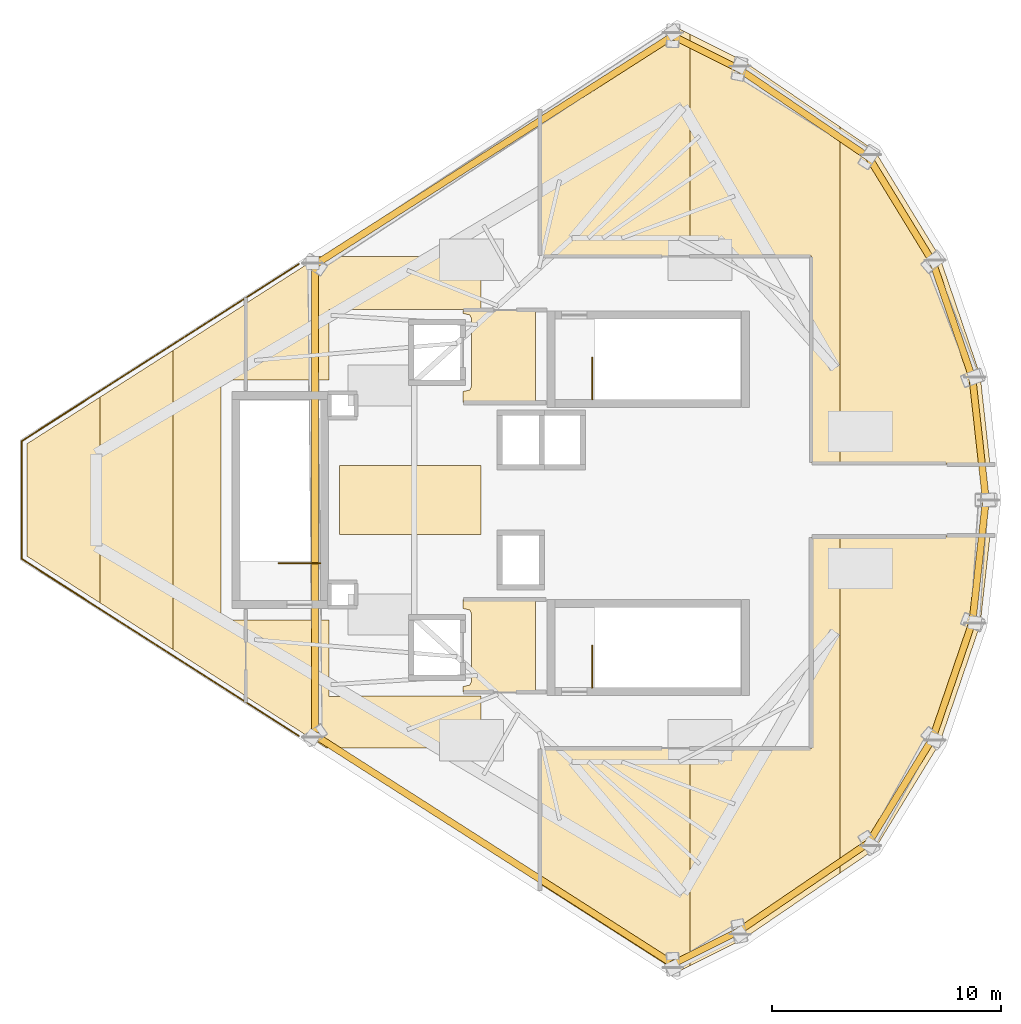
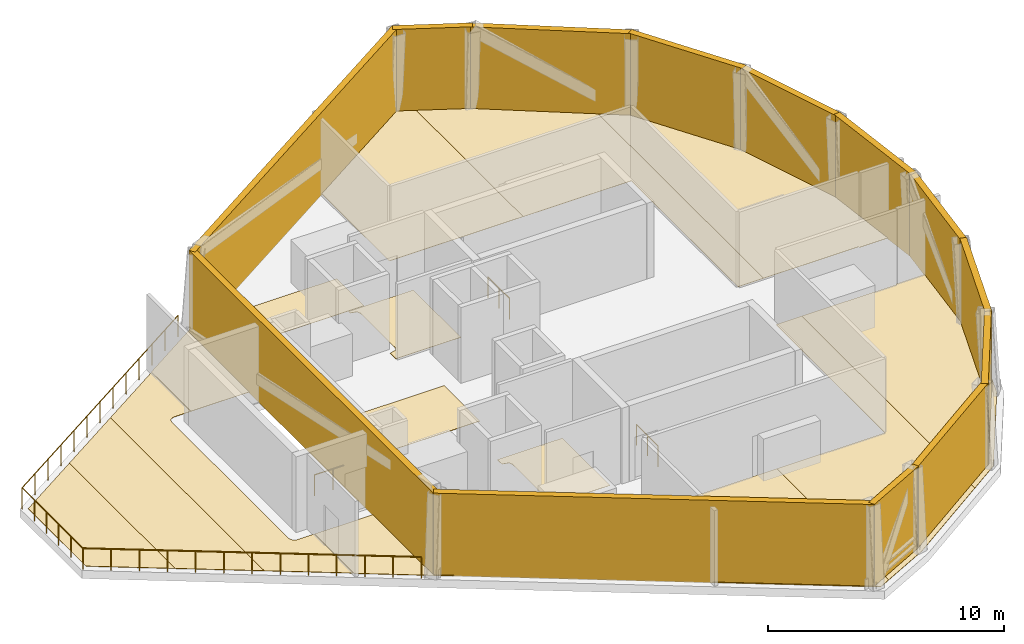
# One storey, part 4 of 4: 14 coverings, 13 shading devices, 4 railings.
"""IFC4 building model written with IfcOpenShell, lengths in metres."""

import ifcopenshell
import ifcopenshell.guid

model = None  # the IFC model being written
_history = None  # IfcOwnerHistory: only IFC2X3 demands one
_inside = {}  # id of a spatial element -> (the spatial element, [elements in it])
_under = {}  # id of a project, library or spatial element -> (it, [spatial elements below it])
_declared = {}  # id of a project -> (the project, [libraries it declares])
_typed = {}  # id of a type object -> (the type object, [elements of that type])
_made_of = {}  # id of a material, layer set ... -> (it, [elements and type objects made of it])


def new_model(schema):
    """Start an empty IFC model of exactly this schema.

    Asked for "IFC4X3", IfcOpenShell would pick the latest addendum, in which some entities
    have other attributes; the version numbers below select the first issue.
    IFC2X3 requires an IfcOwnerHistory on every rooted entity: one is made here for all.
    """
    global model, _history
    if schema == "IFC4X3":
        model = ifcopenshell.file(schema_version=(4, 3, 0, 0))
    else:
        model = ifcopenshell.file(schema=schema)
    _inside.clear()
    _under.clear()
    _declared.clear()
    _typed.clear()
    _made_of.clear()
    _history = None
    if model.schema == "IFC2X3":
        org = make("IfcOrganization", Name="unknown")
        user = make(
            "IfcPersonAndOrganization",
            ThePerson=make("IfcPerson", FamilyName="unknown"),
            TheOrganization=org,
        )
        app = make(
            "IfcApplication",
            ApplicationDeveloper=org,
            Version="unknown",
            ApplicationFullName="unknown",
            ApplicationIdentifier="unknown",
        )
        _history = make(
            "IfcOwnerHistory",
            OwningUser=user,
            OwningApplication=app,
            ChangeAction="ADDED",
            CreationDate=0,
        )
    return model


def make(cls, **values):
    """One entity of the class cls with the attributes given. An attribute that is None is left unset."""
    return model.create_entity(
        cls, **{name: value for name, value in values.items() if value is not None}
    )


def rooted(cls, **values):
    """An entity with a GlobalId (a new one), such as an element, a storey or a relation."""
    return make(cls, GlobalId=ifcopenshell.guid.new(), OwnerHistory=_history, **values)


def si_unit(unit_type, name, prefix=None):
    """IfcSIUnit, for example si_unit("LENGTHUNIT", "METRE", prefix="MILLI")."""
    return make("IfcSIUnit", UnitType=unit_type, Prefix=prefix, Name=name)


def assignment(units):
    """IfcUnitAssignment: the units of a project."""
    return None if units is None else make("IfcUnitAssignment", Units=units)


def point(xyz):
    """IfcCartesianPoint."""
    return None if xyz is None else make("IfcCartesianPoint", Coordinates=xyz)


def direction(xyz):
    """IfcDirection."""
    return None if xyz is None else make("IfcDirection", DirectionRatios=xyz)


def frame(location, z_axis=None, x_axis=None):
    """IfcAxis2Placement3D, a coordinate frame: its origin and axes. An axis left out is left unset."""
    return make(
        "IfcAxis2Placement3D",
        Location=point(location),
        Axis=direction(z_axis),
        RefDirection=direction(x_axis),
    )


def frame_2d(location, x_axis=None):
    """IfcAxis2Placement2D, a coordinate frame in the plane: its origin and x axis."""
    return make(
        "IfcAxis2Placement2D", Location=point(location), RefDirection=direction(x_axis)
    )


def origin():
    """The frame at (0, 0, 0) with its axes left unset."""
    return frame((0.0, 0.0, 0.0))


def origin_2d():
    """The frame at (0, 0) in the plane with its x axis left unset."""
    return frame_2d((0.0, 0.0))


def place(relative_to, where):
    """IfcLocalPlacement: puts the frame where relative to a parent placement (None: the world)."""
    return make(
        "IfcLocalPlacement", PlacementRelTo=relative_to, RelativePlacement=where
    )


def context(
    kind, dimensions, precision=None, world=None, true_north=None, identifier=None
):
    """IfcGeometricRepresentationContext, for example the 3D "Model" context."""
    return make(
        "IfcGeometricRepresentationContext",
        ContextIdentifier=identifier,
        ContextType=kind,
        CoordinateSpaceDimension=dimensions,
        Precision=precision,
        WorldCoordinateSystem=world,
        TrueNorth=true_north,
    )


def subcontext(parent, identifier, kind, view, scale=None):
    """IfcGeometricRepresentationSubContext, for example "Body" below "Model"."""
    return make(
        "IfcGeometricRepresentationSubContext",
        ContextIdentifier=identifier,
        ContextType=kind,
        ParentContext=parent,
        TargetScale=scale,
        TargetView=view,
    )


def project(units=None, contexts=None):
    """IfcProject with its units and contexts."""
    return rooted(
        "IfcProject",
        Name="project",
        RepresentationContexts=contexts,
        UnitsInContext=assignment(units),
    )


def spatial(cls, under=None, at=None, **own):
    """A site, building, storey or space (cls), placed at a placement, below another one or the project."""
    s = rooted(cls, ObjectPlacement=at, **own)
    if under is not None:
        _under.setdefault(under.id(), (under, []))[1].append(s)
    return s


def polyline(points):
    """IfcPolyline through the points."""
    return make("IfcPolyline", Points=[point(p) for p in points])


def profile(cls, at=None, kind="AREA", **sizes):
    """A parametric profile (cls). Its sizes go by their IFC names, for example OverallWidth=200.0."""
    return make(cls, ProfileType=kind, Position=at, **sizes)


def rectangle(**sizes):
    """IfcRectangleProfileDef."""
    return profile("IfcRectangleProfileDef", **sizes)


def circle(**sizes):
    """IfcCircleProfileDef."""
    return profile("IfcCircleProfileDef", **sizes)


def outline(outer, holes=None, kind="AREA"):
    """IfcArbitraryClosedProfileDef: a profile drawn as a closed curve; with holes, ...WithVoids."""
    if holes is None:
        return make("IfcArbitraryClosedProfileDef", ProfileType=kind, OuterCurve=outer)
    return make(
        "IfcArbitraryProfileDefWithVoids",
        ProfileType=kind,
        OuterCurve=outer,
        InnerCurves=holes,
    )


def extrude(swept, where, along, depth):
    """IfcExtrudedAreaSolid: the profile swept, set in the frame where, extruded along a direction by depth."""
    return make(
        "IfcExtrudedAreaSolid",
        SweptArea=swept,
        Position=where,
        ExtrudedDirection=direction(along),
        Depth=depth,
    )


def shape(context_of_items, identifier, shape_type, items):
    """IfcShapeRepresentation: the items that make up one representation, for example the "Body"."""
    return make(
        "IfcShapeRepresentation",
        ContextOfItems=context_of_items,
        RepresentationIdentifier=identifier,
        RepresentationType=shape_type,
        Items=items,
    )


def material(Name=None, Category=None):
    """IfcMaterial."""
    return make("IfcMaterial", Name=Name, Category=Category)


def layer(
    of_material, thickness, ventilated=None, Name=None, Category=None, Priority=None
):
    """IfcMaterialLayer: one layer of a wall or slab, of a material (None: an air gap)."""
    return make(
        "IfcMaterialLayer",
        Material=of_material,
        LayerThickness=thickness,
        IsVentilated=ventilated,
        Name=Name,
        Category=Category,
        Priority=Priority,
    )


def layer_set(layers, Name=None):
    """IfcMaterialLayerSet."""
    return make("IfcMaterialLayerSet", MaterialLayers=layers, LayerSetName=Name)


def made_of(thing, what):
    """Note that an element or type object is made of a material, layer set ...; save() writes the relation."""
    if what is not None:
        _made_of.setdefault(what.id(), (what, []))[1].append(thing)
    return thing


def type_object(cls, material=None, **own):
    """A type object (cls), such as IfcWallType, which elements share."""
    return made_of(rooted(cls, **own), material)


def element(
    cls,
    number,
    at=None,
    inside=None,
    cuts=None,
    type_object=None,
    material=None,
    context=None,
    identifier="Body",
    shape_type=None,
    held_by="IfcProductDefinitionShape",
    body=None,
    shapes=None,
    **own,
):
    """One element of the class cls, such as IfcWall. Its Tag is "e" and its number.

    at: its placement. inside: the storey or other place that contains it. cuts: it is an
    opening in that element (IfcRelVoidsElement). A single representation is given by context,
    identifier, shape_type and body (its items); several are given by shapes. held_by: the class
    of the entity that holds the representations. save() writes the other relations.
    """
    e = rooted(cls, Tag="e%d" % number, ObjectPlacement=at, **own)
    if body is not None:
        shapes = [shape(context, identifier, shape_type, body)]
    if shapes is not None:
        e.Representation = make(held_by, Representations=shapes)
    if inside is not None:
        _inside.setdefault(inside.id(), (inside, []))[1].append(e)
    if cuts is not None:
        rooted(
            "IfcRelVoidsElement", RelatingBuildingElement=cuts, RelatedOpeningElement=e
        )
    if type_object is not None:
        _typed.setdefault(type_object.id(), (type_object, []))[1].append(e)
    return made_of(e, material)


def aggregate(whole, parts):
    """IfcRelAggregates: a whole, such as a stair, and the parts it consists of."""
    return rooted("IfcRelAggregates", RelatingObject=whole, RelatedObjects=parts)


def save(model, path):
    """Write the relations noted so far, then the file.

    IfcRelAggregates (storeys below a building ...), IfcRelContainedInSpatialStructure (elements
    in a storey), IfcRelDefinesByType, IfcRelAssociatesMaterial and IfcRelDeclares: one each for
    every whole, place, type object, material and project.
    """
    for whole, parts in _under.values():
        aggregate(whole, parts)
    for where, things in _inside.values():
        rooted(
            "IfcRelContainedInSpatialStructure",
            RelatedElements=things,
            RelatingStructure=where,
        )
    for kind, things in _typed.values():
        rooted("IfcRelDefinesByType", RelatedObjects=things, RelatingType=kind)
    for what, things in _made_of.values():
        rooted("IfcRelAssociatesMaterial", RelatedObjects=things, RelatingMaterial=what)
    for by, libraries in _declared.values():
        rooted("IfcRelDeclares", RelatingContext=by, RelatedDefinitions=libraries)
    model.write(path)


model = new_model("IFC4")

# Units and contexts
model_context = context("Model", 3, precision=1e-05, world=origin(), true_north=direction((0.0, 1.0)))
body_context = subcontext(model_context, "Body", "Model", "MODEL_VIEW")
ifc_project = project(units=[si_unit("LENGTHUNIT", "METRE"), si_unit("AREAUNIT", "SQUARE_METRE"), si_unit("VOLUMEUNIT", "CUBIC_METRE"), si_unit("PLANEANGLEUNIT", "RADIAN"), si_unit("MASSUNIT", "GRAM", prefix="KILO")], contexts=[model_context])

# Site, building, storey
site_placement = place(None, origin())
site = spatial("IfcSite", under=ifc_project, at=site_placement, CompositionType="ELEMENT")
building_placement = place(site_placement, origin())
building = spatial("IfcBuilding", under=site, at=building_placement, Name="Qorvath Tower", CompositionType="ELEMENT")
storey_placement = place(building_placement, frame((0.0, 0.0, 327.0)))
storey = spatial("IfcBuildingStorey", under=building, at=storey_placement, Name="L76", CompositionType="ELEMENT", Elevation=327.0)

# Coverings
ifc_material_1 = material(Name="Low-VOC modular carpet tile", Category="textile")
ifc_layer_1 = layer(ifc_material_1, 0.014892578125)
ifc_layer_set_1 = layer_set([ifc_layer_1], Name="COV-FLOOR-CPT")
covering_type_1 = type_object("IfcCoveringType", Name="COV-FLOOR-CPT", PredefinedType="FLOORING", material=ifc_layer_set_1)
covering_1_placement = place(storey_placement, origin())
element("IfcCovering", 1, at=covering_1_placement, inside=storey, type_object=covering_type_1, Name="L76 Floor Finish 006", PredefinedType="FLOORING", context=body_context, shape_type="SweptSolid", body=[
    extrude(outline(polyline([(-44.23974609375, -4.49365234375), (-44.23974609375, 4.49365234375), (-47.42822265625, 2.4560546875), (-47.42822265625, -2.4560546875), (-44.23974609375, -4.49365234375)])), origin(), (0.0, 0.0, 1.0), 0.014892578125),
])
covering_2_placement = place(storey_placement, origin())
element("IfcCovering", 2, at=covering_2_placement, inside=storey, type_object=covering_type_1, Name="L76 Floor Finish 007", PredefinedType="FLOORING", context=body_context, shape_type="SweptSolid", body=[
    extrude(outline(polyline([(-41.051513671875, -6.531494140625), (-41.051513671875, 6.531494140625), (-44.23974609375, 4.49365234375), (-44.23974609375, -4.49365234375), (-41.051513671875, -6.531494140625)])), origin(), (0.0, 0.0, 1.0), 0.014892578125),
])
covering_3_placement = place(storey_placement, origin())
element("IfcCovering", 3, at=covering_3_placement, inside=storey, type_object=covering_type_1, Name="L76 Floor Finish 008", PredefinedType="FLOORING", context=body_context, shape_type="SweptSolid", body=[
    extrude(outline(polyline([(-37.863037109375, 8.5693359375), (-41.051513671875, 6.531494140625), (-41.051513671875, -6.531494140625), (-37.863037109375, -8.5693359375), (-37.863037109375, -5.239990234375), (-38.699951171875, -5.239990234375), (-38.876708984375, -5.166748046875), (-38.949951171875, -4.989990234375), (-38.949951171875, 4.989990234375), (-38.876708984375, 5.166748046875), (-38.699951171875, 5.239990234375), (-37.863037109375, 5.239990234375), (-37.863037109375, 8.5693359375)])), origin(), (0.0, 0.0, 1.0), 0.014892578125),
])
covering_4_placement = place(storey_placement, origin())
element("IfcCovering", 4, at=covering_4_placement, inside=storey, type_object=covering_type_1, Name="L76 Floor Finish 009", PredefinedType="FLOORING", context=body_context, shape_type="SweptSolid", body=[
    extrude(outline(polyline([(-18.439453125, 10.662109375), (-18.439453125, 20.35986328125), (-18.987060546875, 20.633544921875), (-24.9951171875, 16.793701171875), (-24.9951171875, 10.6630859375), (-18.439453125, 10.662109375)])), origin(), (0.0, 0.0, 1.0), 0.014892578125),
])
covering_5_placement = place(storey_placement, origin())
element("IfcCovering", 5, at=covering_5_placement, inside=storey, type_object=covering_type_1, Name="L76 Floor Finish 010", PredefinedType="FLOORING", context=body_context, shape_type="SweptSolid", body=[
    extrude(outline(polyline([(-11.884033203125, 1.613037109375), (-11.884033203125, 16.30908203125), (-16.162353515625, 19.221435546875), (-18.439453125, 20.35986328125), (-18.439453125, 10.662109375), (-13.138427734375, 10.66162109375), (-13.136962890625, 1.613037109375), (-11.884033203125, 1.613037109375)])), origin(), (0.0, 0.0, 1.0), 0.014892578125),
])
covering_6_placement = place(storey_placement, origin())
element("IfcCovering", 6, at=covering_6_placement, inside=storey, type_object=covering_type_1, Name="L76 Floor Finish 011", PredefinedType="FLOORING", context=body_context, shape_type="SweptSolid", body=[
    extrude(outline(polyline([(-5.758056640625, 5.44775390625), (-7.53125, 10.634033203125), (-10.375, 15.28173828125), (-11.884033203125, 16.30908203125), (-11.884033203125, 1.613037109375), (-7.23291015625, 1.613037109375), (-7.22216796875, 1.554931640625), (-5.32861328125, 1.554931640625), (-5.758056640625, 5.44775390625)])), origin(), (0.0, 0.0, 1.0), 0.014892578125),
])
covering_7_placement = place(storey_placement, origin())
element("IfcCovering", 7, at=covering_7_placement, inside=storey, type_object=covering_type_1, Name="L76 Floor Finish 012", PredefinedType="FLOORING", context=body_context, shape_type="SweptSolid", body=[
    extrude(outline(polyline([(-18.439453125, -20.35986328125), (-18.439453125, -10.8623046875), (-24.9951171875, -10.863037109375), (-24.9951171875, -16.793701171875), (-18.987060546875, -20.633544921875), (-18.439453125, -20.35986328125)])), origin(), (0.0, 0.0, 1.0), 0.014892578125),
])
covering_8_placement = place(storey_placement, origin())
element("IfcCovering", 8, at=covering_8_placement, inside=storey, type_object=covering_type_1, Name="L76 Floor Finish 013", PredefinedType="FLOORING", context=body_context, shape_type="SweptSolid", body=[
    extrude(outline(polyline([(-16.162353515625, -19.221435546875), (-11.884033203125, -16.30908203125), (-11.884033203125, -1.613037109375), (-13.136962890625, -1.613037109375), (-13.138427734375, -10.861572265625), (-18.439453125, -10.8623046875), (-18.439453125, -20.35986328125), (-16.162353515625, -19.221435546875)])), origin(), (0.0, 0.0, 1.0), 0.014892578125),
])
covering_9_placement = place(storey_placement, origin())
element("IfcCovering", 9, at=covering_9_placement, inside=storey, type_object=covering_type_1, Name="L76 Floor Finish 014", PredefinedType="FLOORING", context=body_context, shape_type="SweptSolid", body=[
    extrude(outline(polyline([(-11.884033203125, -1.613037109375), (-11.884033203125, -16.30908203125), (-10.375, -15.28173828125), (-7.53125, -10.634033203125), (-5.758056640625, -5.44775390625), (-5.32861328125, -1.554931640625), (-7.22216796875, -1.554931640625), (-7.23291015625, -1.613037109375), (-11.884033203125, -1.613037109375)])), origin(), (0.0, 0.0, 1.0), 0.014892578125),
])
ifc_material_2 = material(Name="Polished epoxy terrazzo flooring", Category="concrete")
ifc_layer_2 = layer(ifc_material_2, 0.02001953125)
ifc_layer_set_2 = layer_set([ifc_layer_2], Name="COV-FLOOR-TRZ")
covering_type_2 = type_object("IfcCoveringType", Name="COV-FLOOR-TRZ", PredefinedType="FLOORING", material=ifc_layer_set_2)
covering_10_placement = place(storey_placement, origin())
element("IfcCovering", 10, at=covering_10_placement, inside=storey, type_object=covering_type_2, Name="L76 Floor Finish 001", PredefinedType="FLOORING", context=body_context, shape_type="SweptSolid", body=[
    extrude(outline(polyline([(-25.18994140625, 4.2548828125), (-25.18994140625, 8.294921875), (-28.375, 8.294921875), (-28.375, 8.159912109375), (-28.063232421875, 8.086669921875), (-27.989990234375, 7.909912109375), (-27.989990234375, 4.989990234375), (-28.063232421875, 4.813232421875), (-28.375, 4.739990234375), (-28.375, 4.2548828125), (-25.18994140625, 4.2548828125)])), origin(), (0.0, 0.0, 1.0), 0.014892578125),
])
covering_11_placement = place(storey_placement, origin())
element("IfcCovering", 11, at=covering_11_placement, inside=storey, type_object=covering_type_2, Name="L76 Floor Finish 002", PredefinedType="FLOORING", context=body_context, shape_type="SweptSolid", body=[
    extrude(outline(polyline([(-25.18994140625, -8.39501953125), (-25.18994140625, -4.35498046875), (-28.375, -4.35498046875), (-28.375, -4.739990234375), (-28.063232421875, -4.813232421875), (-27.989990234375, -4.989990234375), (-27.989990234375, -7.909912109375), (-28.063232421875, -8.086669921875), (-28.375, -8.159912109375), (-28.375, -8.39501953125), (-25.18994140625, -8.39501953125)])), origin(), (0.0, 0.0, 1.0), 0.014892578125),
])
covering_12_placement = place(storey_placement, origin())
element("IfcCovering", 12, at=covering_12_placement, inside=storey, type_object=covering_type_2, Name="L76 Floor Finish 003", PredefinedType="FLOORING", context=body_context, shape_type="SweptSolid", body=[
    extrude(outline(polyline([(-27.586181640625, 8.324951171875), (-27.586181640625, 10.64501953125), (-34.652587890625, 10.64501953125), (-37.844970703125, 8.6044921875), (-37.844970703125, 5.239990234375), (-34.22509765625, 5.239990234375), (-34.219970703125, 8.324951171875), (-27.586181640625, 8.324951171875)])), origin(), (0.0, 0.0, 1.0), 0.014892578125),
])
covering_13_placement = place(storey_placement, origin())
element("IfcCovering", 13, at=covering_13_placement, inside=storey, type_object=covering_type_2, Name="L76 Floor Finish 004", PredefinedType="FLOORING", context=body_context, shape_type="SweptSolid", body=[
    extrude(outline(polyline([(-34.22509765625, -8.580078125), (-34.22509765625, -5.239990234375), (-37.844970703125, -5.239990234375), (-37.844970703125, -8.6044921875), (-34.339599609375, -10.844970703125), (-27.586181640625, -10.844970703125), (-27.586181640625, -8.57568359375), (-34.22509765625, -8.580078125)])), origin(), (0.0, 0.0, 1.0), 0.014892578125),
])
covering_14_placement = place(storey_placement, origin())
element("IfcCovering", 14, at=covering_14_placement, inside=storey, type_object=covering_type_2, Name="L76 Floor Finish 005", PredefinedType="FLOORING", context=body_context, shape_type="SweptSolid", body=[
    extrude(outline(polyline([(-27.586181640625, -1.514892578125), (-27.586181640625, 1.514892578125), (-33.760009765625, 1.514892578125), (-33.760009765625, -1.514892578125), (-27.586181640625, -1.514892578125)])), origin(), (0.0, 0.0, 1.0), 0.014892578125),
])

# Railings
ifc_material_3 = material(Name="Laminated safety glass and stainless steel AISI 316", Category="steel")
railing_type_1 = type_object("IfcRailingType", Name="RL-EXT-GRD", PredefinedType="GUARDRAIL", material=ifc_material_3)
railing_1_placement = place(storey_placement, frame((-35.544921875, -10.31787109375, 0.0)))
element("IfcRailing", 15, at=railing_1_placement, inside=storey, type_object=railing_type_1, Name="Crown Deck Edge Guardrail L76-1", PredefinedType="GUARDRAIL", context=body_context, shape_type="SweptSolid", body=[
    extrude(circle(Radius=0.02392578125, at=origin_2d()), frame((0.0, 0.0, 1.09619140625), z_axis=(-0.842606320599, 0.538530025614, 0.0), x_axis=(-0.538530025614, -0.842606320599, 0.0)), (0.0, 0.0, 1.0), 14.3701171875),
    extrude(circle(Radius=0.02392578125, at=origin_2d()), frame((-12.1083984375, 7.73876953125, 1.09619140625), z_axis=(0.0, 1.0, 0.0), x_axis=(-1.0, 0.0, 0.0)), (0.0, 0.0, 1.0), 5.158203125),
    extrude(circle(Radius=0.02392578125, at=origin_2d()), frame((-12.1083984375, 12.89697265625, 1.09619140625), z_axis=(0.842606320599, 0.538530025614, 0.0), x_axis=(-0.538530025614, 0.842606320599, 0.0)), (0.0, 0.0, 1.0), 14.3701171875),
    extrude(circle(Radius=0.02099609375, at=origin_2d()), origin(), (0.0, 0.0, 1.0), 1.072021484375),
    extrude(circle(Radius=0.02099609375, at=origin_2d()), frame((-1.009033203125, 0.64501953125, 0.0)), (0.0, 0.0, 1.0), 1.072021484375),
    extrude(circle(Radius=0.02099609375, at=origin_2d()), frame((-2.01806640625, 1.289794921875, 0.0)), (0.0, 0.0, 1.0), 1.072021484375),
    extrude(circle(Radius=0.02099609375, at=origin_2d()), frame((-3.027099609375, 1.9345703125, 0.0)), (0.0, 0.0, 1.0), 1.072021484375),
    extrude(circle(Radius=0.02099609375, at=origin_2d()), frame((-4.0361328125, 2.57958984375, 0.0)), (0.0, 0.0, 1.0), 1.072021484375),
    extrude(circle(Radius=0.02099609375, at=origin_2d()), frame((-5.045166015625, 3.224609375, 0.0)), (0.0, 0.0, 1.0), 1.072021484375),
    extrude(circle(Radius=0.02099609375, at=origin_2d()), frame((-6.05419921875, 3.869384765625, 0.0)), (0.0, 0.0, 1.0), 1.072021484375),
    extrude(circle(Radius=0.02099609375, at=origin_2d()), frame((-7.063232421875, 4.51416015625, 0.0)), (0.0, 0.0, 1.0), 1.072021484375),
    extrude(circle(Radius=0.02099609375, at=origin_2d()), frame((-8.072265625, 5.1591796875, 0.0)), (0.0, 0.0, 1.0), 1.072021484375),
    extrude(circle(Radius=0.02099609375, at=origin_2d()), frame((-9.081298828125, 5.80419921875, 0.0)), (0.0, 0.0, 1.0), 1.072021484375),
    extrude(circle(Radius=0.02099609375, at=origin_2d()), frame((-10.09033203125, 6.448974609375, 0.0)), (0.0, 0.0, 1.0), 1.072021484375),
    extrude(circle(Radius=0.02099609375, at=origin_2d()), frame((-11.099365234375, 7.09375, 0.0)), (0.0, 0.0, 1.0), 1.072021484375),
    extrude(circle(Radius=0.02099609375, at=origin_2d()), frame((-12.1083984375, 7.73876953125, 0.0)), (0.0, 0.0, 1.0), 1.072021484375),
    extrude(circle(Radius=0.02099609375, at=origin_2d()), frame((-12.1083984375, 8.7705078125, 0.0)), (0.0, 0.0, 1.0), 1.072021484375),
    extrude(circle(Radius=0.02099609375, at=origin_2d()), frame((-12.1083984375, 9.802001953125, 0.0)), (0.0, 0.0, 1.0), 1.072021484375),
    extrude(circle(Radius=0.02099609375, at=origin_2d()), frame((-12.1083984375, 10.833740234375, 0.0)), (0.0, 0.0, 1.0), 1.072021484375),
    extrude(circle(Radius=0.02099609375, at=origin_2d()), frame((-12.1083984375, 11.865234375, 0.0)), (0.0, 0.0, 1.0), 1.072021484375),
    extrude(circle(Radius=0.02099609375, at=origin_2d()), frame((-12.1083984375, 12.89697265625, 0.0)), (0.0, 0.0, 1.0), 1.072021484375),
    extrude(circle(Radius=0.02099609375, at=origin_2d()), frame((-11.099365234375, 13.5419921875, 0.0)), (0.0, 0.0, 1.0), 1.072021484375),
    extrude(circle(Radius=0.02099609375, at=origin_2d()), frame((-10.09033203125, 14.186767578125, 0.0)), (0.0, 0.0, 1.0), 1.072021484375),
    extrude(circle(Radius=0.02099609375, at=origin_2d()), frame((-9.081298828125, 14.83154296875, 0.0)), (0.0, 0.0, 1.0), 1.072021484375),
    extrude(circle(Radius=0.02099609375, at=origin_2d()), frame((-8.072265625, 15.4765625, 0.0)), (0.0, 0.0, 1.0), 1.072021484375),
    extrude(circle(Radius=0.02099609375, at=origin_2d()), frame((-7.063232421875, 16.12158203125, 0.0)), (0.0, 0.0, 1.0), 1.072021484375),
    extrude(circle(Radius=0.02099609375, at=origin_2d()), frame((-6.05419921875, 16.766357421875, 0.0)), (0.0, 0.0, 1.0), 1.072021484375),
    extrude(circle(Radius=0.02099609375, at=origin_2d()), frame((-5.045166015625, 17.4111328125, 0.0)), (0.0, 0.0, 1.0), 1.072021484375),
    extrude(circle(Radius=0.02099609375, at=origin_2d()), frame((-4.0361328125, 18.05615234375, 0.0)), (0.0, 0.0, 1.0), 1.072021484375),
    extrude(circle(Radius=0.02099609375, at=origin_2d()), frame((-3.027099609375, 18.701171875, 0.0)), (0.0, 0.0, 1.0), 1.072021484375),
    extrude(circle(Radius=0.02099609375, at=origin_2d()), frame((-2.01806640625, 19.345947265625, 0.0)), (0.0, 0.0, 1.0), 1.072021484375),
    extrude(circle(Radius=0.02099609375, at=origin_2d()), frame((-1.009033203125, 19.99072265625, 0.0)), (0.0, 0.0, 1.0), 1.072021484375),
    extrude(circle(Radius=0.02099609375, at=origin_2d()), frame((0.0, 20.6357421875, 0.0)), (0.0, 0.0, 1.0), 1.072021484375),
])
ifc_material_4 = material(Name="Painted galvanised steel", Category="steel")
railing_type_2 = type_object("IfcRailingType", Name="RL-STR-GRD", PredefinedType="GUARDRAIL", material=ifc_material_4)
railing_2_placement = place(storey_placement, frame((-22.719970703125, 4.39990234375, 0.0)))
element("IfcRailing", 16, at=railing_2_placement, inside=storey, type_object=railing_type_2, Name="L76 TS1 top well guard 1", PredefinedType="GUARDRAIL", context=body_context, shape_type="SweptSolid", body=[
    extrude(circle(Radius=0.02392578125, at=origin_2d()), frame((0.0, 0.0, 1.076171875), z_axis=(0.0, 1.0, 0.0), x_axis=(-1.0, 0.0, 0.0)), (0.0, 0.0, 1.0), 1.830078125),
    extrude(circle(Radius=0.02099609375, at=origin_2d()), origin(), (0.0, 0.0, 1.0), 1.052001953125),
    extrude(circle(Radius=0.02099609375, at=origin_2d()), frame((0.0, 0.9150390625, 0.0)), (0.0, 0.0, 1.0), 1.052001953125),
    extrude(circle(Radius=0.02099609375, at=origin_2d()), frame((0.0, 1.830078125, 0.0)), (0.0, 0.0, 1.0), 1.052001953125),
])
railing_3_placement = place(storey_placement, frame((-22.719970703125, -8.199951171875, 0.0)))
element("IfcRailing", 17, at=railing_3_placement, inside=storey, type_object=railing_type_2, Name="L76 TS2 top well guard 1", PredefinedType="GUARDRAIL", context=body_context, shape_type="SweptSolid", body=[
    extrude(circle(Radius=0.02392578125, at=origin_2d()), frame((0.0, 0.0, 1.076171875), z_axis=(0.0, 1.0, 0.0), x_axis=(-1.0, 0.0, 0.0)), (0.0, 0.0, 1.0), 1.829833984375),
    extrude(circle(Radius=0.02099609375, at=origin_2d()), origin(), (0.0, 0.0, 1.0), 1.052001953125),
    extrude(circle(Radius=0.02099609375, at=origin_2d()), frame((0.0, 0.9150390625, 0.0)), (0.0, 0.0, 1.0), 1.052001953125),
    extrude(circle(Radius=0.02099609375, at=origin_2d()), frame((0.0, 1.829833984375, 0.0)), (0.0, 0.0, 1.0), 1.052001953125),
])
railing_4_placement = place(storey_placement, frame((-34.60009765625, -2.77001953125, 0.0)))
element("IfcRailing", 18, at=railing_4_placement, inside=storey, type_object=railing_type_2, Name="L76 TS3 top well guard 1", PredefinedType="GUARDRAIL", context=body_context, shape_type="SweptSolid", body=[
    extrude(circle(Radius=0.02392578125, at=origin_2d()), frame((0.0, 0.0, 1.076171875), z_axis=(-1.0, 0.0, 0.0), x_axis=(0.0, -1.0, 0.0)), (0.0, 0.0, 1.0), 1.829833984375),
    extrude(circle(Radius=0.02099609375, at=origin_2d()), origin(), (0.0, 0.0, 1.0), 1.052001953125),
    extrude(circle(Radius=0.02099609375, at=origin_2d()), frame((-0.9150390625, 0.0, 0.0)), (0.0, 0.0, 1.0), 1.052001953125),
    extrude(circle(Radius=0.02099609375, at=origin_2d()), frame((-1.829833984375, 0.0, 0.0)), (0.0, 0.0, 1.0), 1.052001953125),
])

# Shading devices
ifc_material_5 = material(Name="Anodised bronze-champagne aluminium", Category="aluminium")
shading_device_type = type_object("IfcShadingDeviceType", Name="SD-SCREEN", PredefinedType="USERDEFINED", material=ifc_material_5)
shading_device_1_placement = place(storey_placement, frame((-34.837890625, 0.0, -0.0400390625), z_axis=(0.0, 0.0, 1.0), x_axis=(0.0, -1.0, 0.0)))
element("IfcShadingDevice", 19, at=shading_device_1_placement, inside=storey, type_object=shading_device_type, Name="Crown Acoustic Louvre Screen L76-01", PredefinedType="NOTDEFINED", context=body_context, shape_type="SweptSolid", body=[
    extrude(rectangle(XDim=20.735595703125, YDim=0.300048828125, at=origin_2d()), origin(), (0.0, 0.0, 1.0), 4.280029296875),
])
shading_device_2_placement = place(storey_placement, frame((-27.01513671875, -15.287353515625, -0.0400390625), z_axis=(0.0, 0.0, 1.0), x_axis=(0.842609396732, -0.538525212537, 0.0)))
element("IfcShadingDevice", 20, at=shading_device_2_placement, inside=storey, type_object=shading_device_type, Name="Crown Acoustic Louvre Screen L76-02", PredefinedType="NOTDEFINED", context=body_context, shape_type="SweptSolid", body=[
    extrude(rectangle(XDim=18.7275390625, YDim=0.300048828125, at=origin_2d()), origin(), (0.0, 0.0, 1.0), 4.280029296875),
])
shading_device_3_placement = place(storey_placement, frame((-17.74365234375, -19.5625, -0.0400390625), z_axis=(0.0, 0.0, 1.0), x_axis=(0.894420565542, 0.44722684617, 0.0)))
element("IfcShadingDevice", 21, at=shading_device_3_placement, inside=storey, type_object=shading_device_type, Name="Crown Acoustic Louvre Screen L76-03", PredefinedType="NOTDEFINED", context=body_context, shape_type="SweptSolid", body=[
    extrude(rectangle(XDim=3.39990234375, YDim=0.300048828125, at=origin_2d()), origin(), (0.0, 0.0, 1.0), 4.280029296875),
])
shading_device_4_placement = place(storey_placement, frame((-13.462646484375, -16.91015625, -0.0400390625), z_axis=(0.0, 0.0, 1.0), x_axis=(0.826661448851, 0.562699608125, 0.0)))
element("IfcShadingDevice", 22, at=shading_device_4_placement, inside=storey, type_object=shading_device_type, Name="Crown Acoustic Louvre Screen L76-04", PredefinedType="NOTDEFINED", context=body_context, shape_type="SweptSolid", body=[
    extrude(rectangle(XDim=7.01171875, YDim=0.300048828125, at=origin_2d()), origin(), (0.0, 0.0, 1.0), 4.280029296875),
])
for number, where, z_axis, x_axis, name in (
    (23, (-9.23095703125, -12.694580078125, -0.0400390625), (0.0, 0.0, 1.0), (0.521913603686, 0.852998353039, 0.0), "Crown Acoustic Louvre Screen L76-05"),
    (24, (-6.96337890625, -7.869140625, -0.0400390625), (0.0, 0.0, 1.0), (0.323560729411, 0.946207405585, 0.0), "Crown Acoustic Louvre Screen L76-06"),
):
    element("IfcShadingDevice", number, at=place(storey_placement, frame(where, z_axis=z_axis, x_axis=x_axis)), inside=storey, type_object=shading_device_type, Name=name, PredefinedType="NOTDEFINED", context=body_context, shape_type="SweptSolid", body=[
        extrude(rectangle(XDim=5.52392578125, YDim=0.300048828125, at=origin_2d()), origin(), (0.0, 0.0, 1.0), 4.280029296875),
    ])
for number, where, z_axis, x_axis, name in (
    (25, (-5.8017578125, -2.665771484375, -0.0400390625), (0.0, 0.0, 1.0), (0.109569504616, 0.99397913643, 0.0), "Crown Acoustic Louvre Screen L76-07"),
    (26, (-5.8017578125, 2.665771484375, -0.0400390625), (0.0, 0.0, 1.0), (-0.109569504616, 0.99397913643, 0.0), "Crown Acoustic Louvre Screen L76-08"),
):
    element("IfcShadingDevice", number, at=place(storey_placement, frame(where, z_axis=z_axis, x_axis=x_axis)), inside=storey, type_object=shading_device_type, Name=name, PredefinedType="NOTDEFINED", context=body_context, shape_type="SweptSolid", body=[
        extrude(rectangle(XDim=5.523681640625, YDim=0.300048828125, at=origin_2d()), origin(), (0.0, 0.0, 1.0), 4.280029296875),
    ])
for number, where, z_axis, x_axis, name in (
    (27, (-6.96337890625, 7.869140625, -0.0400390625), (0.0, 0.0, 1.0), (-0.323560729411, 0.946207405585, 0.0), "Crown Acoustic Louvre Screen L76-09"),
    (28, (-9.23095703125, 12.694580078125, -0.0400390625), (0.0, 0.0, 1.0), (-0.521913603686, 0.852998353039, 0.0), "Crown Acoustic Louvre Screen L76-10"),
):
    element("IfcShadingDevice", number, at=place(storey_placement, frame(where, z_axis=z_axis, x_axis=x_axis)), inside=storey, type_object=shading_device_type, Name=name, PredefinedType="NOTDEFINED", context=body_context, shape_type="SweptSolid", body=[
        extrude(rectangle(XDim=5.52392578125, YDim=0.300048828125, at=origin_2d()), origin(), (0.0, 0.0, 1.0), 4.280029296875),
    ])
shading_device_5_placement = place(storey_placement, frame((-13.462646484375, 16.91015625, -0.0400390625), z_axis=(0.0, 0.0, 1.0), x_axis=(-0.826661448851, 0.562699608125, 0.0)))
element("IfcShadingDevice", 29, at=shading_device_5_placement, inside=storey, type_object=shading_device_type, Name="Crown Acoustic Louvre Screen L76-11", PredefinedType="NOTDEFINED", context=body_context, shape_type="SweptSolid", body=[
    extrude(rectangle(XDim=7.01171875, YDim=0.300048828125, at=origin_2d()), origin(), (0.0, 0.0, 1.0), 4.280029296875),
])
shading_device_6_placement = place(storey_placement, frame((-17.74365234375, 19.5625, -0.0400390625), z_axis=(0.0, 0.0, 1.0), x_axis=(-0.894420565542, 0.44722684617, 0.0)))
element("IfcShadingDevice", 30, at=shading_device_6_placement, inside=storey, type_object=shading_device_type, Name="Crown Acoustic Louvre Screen L76-12", PredefinedType="NOTDEFINED", context=body_context, shape_type="SweptSolid", body=[
    extrude(rectangle(XDim=3.39990234375, YDim=0.300048828125, at=origin_2d()), origin(), (0.0, 0.0, 1.0), 4.280029296875),
])
shading_device_7_placement = place(storey_placement, frame((-27.01513671875, 15.287353515625, -0.0400390625), z_axis=(0.0, 0.0, 1.0), x_axis=(-0.842609396732, -0.538525212537, 0.0)))
element("IfcShadingDevice", 31, at=shading_device_7_placement, inside=storey, type_object=shading_device_type, Name="Crown Acoustic Louvre Screen L76-13", PredefinedType="NOTDEFINED", context=body_context, shape_type="SweptSolid", body=[
    extrude(rectangle(XDim=18.7275390625, YDim=0.300048828125, at=origin_2d()), origin(), (0.0, 0.0, 1.0), 4.280029296875),
])

save(model, "model.ifc")
